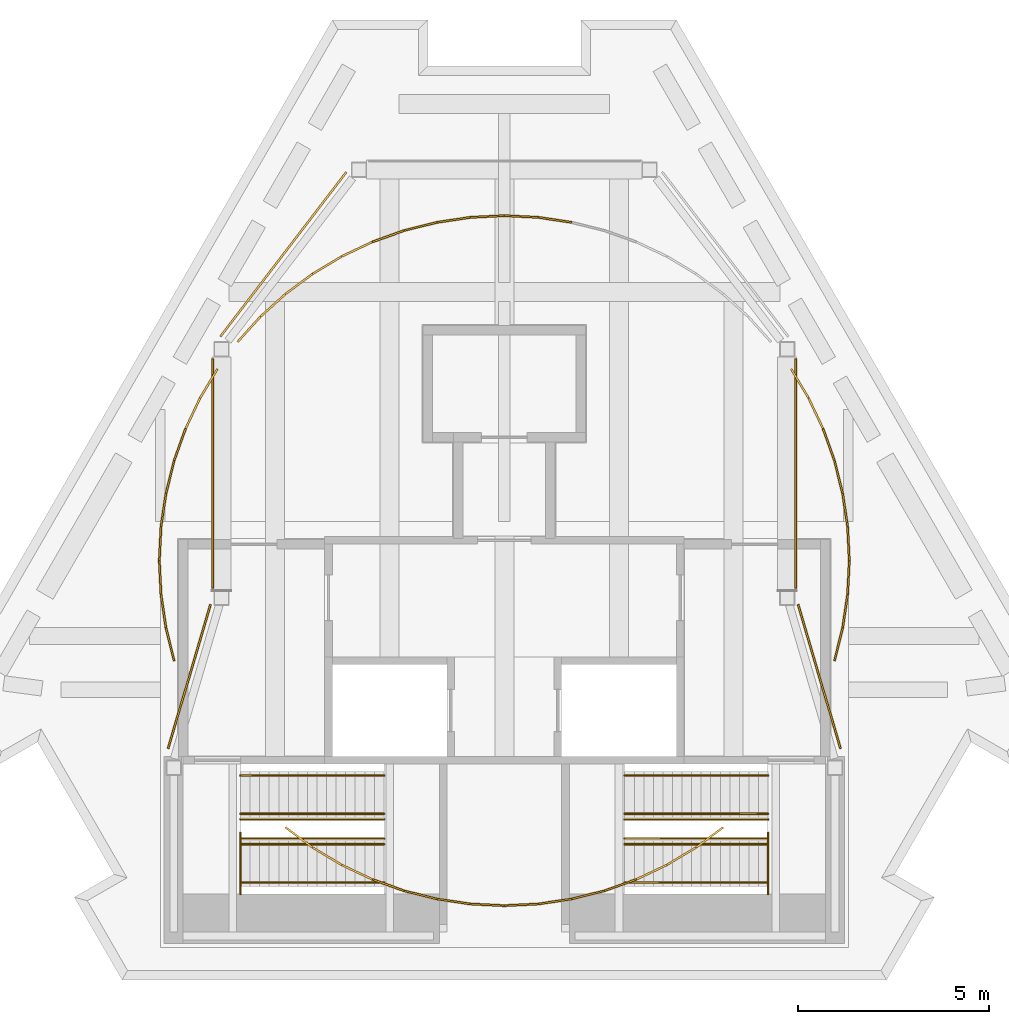
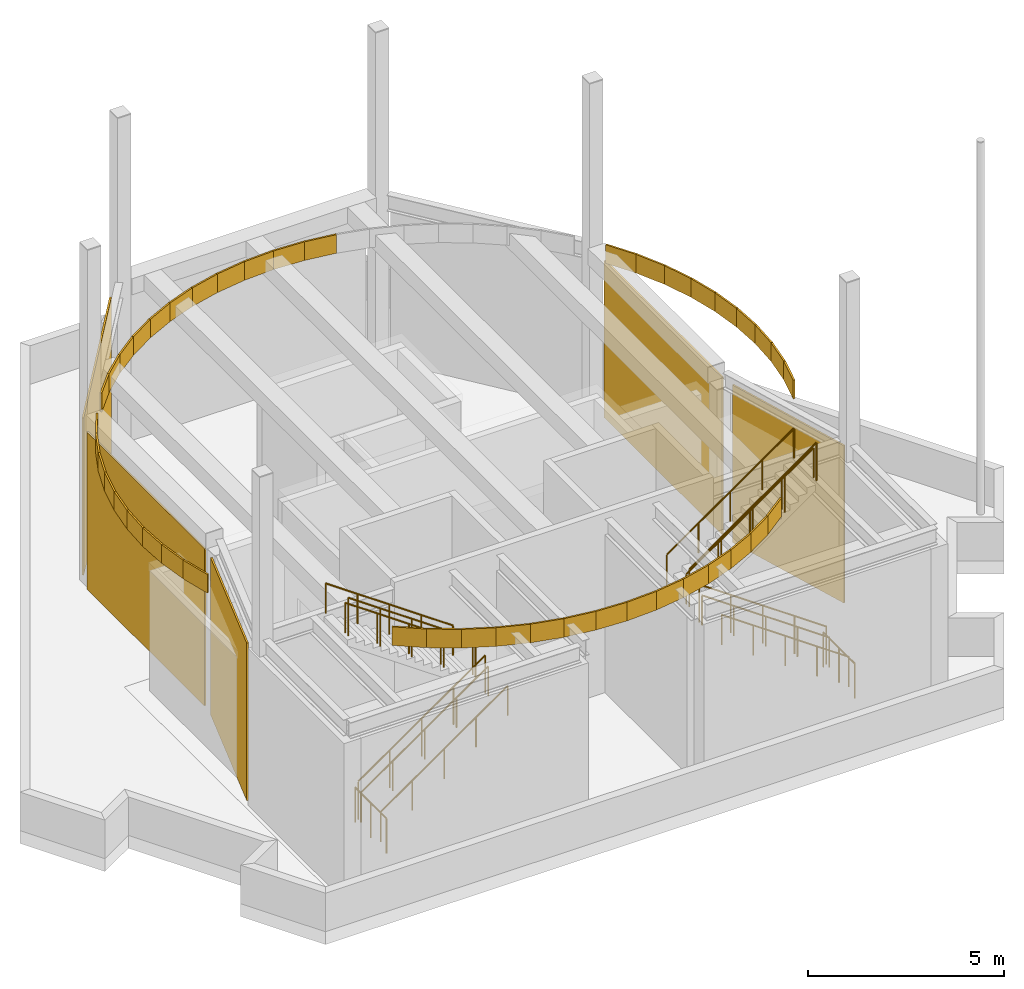
# One storey, part 5 of 6: 48 shading devices, 14 railings.
"""IFC4 building model written with IfcOpenShell, lengths in metres."""

from ifc_helpers import new_model, si_unit, direction, frame, origin, origin_2d, place, context, subcontext, project, spatial, polyline, circle, outline, extrude, material, layer, layer_set, type_object, element, save


model = new_model("IFC4")

# Units and contexts
model_context = context("Model", 3, precision=1e-05, world=origin(), true_north=direction((0.0, 1.0)))
body_context = subcontext(model_context, "Body", "Model", "MODEL_VIEW")
ifc_project = project(units=[si_unit("LENGTHUNIT", "METRE"), si_unit("AREAUNIT", "SQUARE_METRE"), si_unit("VOLUMEUNIT", "CUBIC_METRE"), si_unit("PLANEANGLEUNIT", "RADIAN"), si_unit("MASSUNIT", "GRAM", prefix="KILO")], contexts=[model_context])

# Site, building, storey
site_placement = place(None, origin())
site = spatial("IfcSite", under=ifc_project, at=site_placement, CompositionType="ELEMENT")
building_placement = place(site_placement, origin())
building = spatial("IfcBuilding", under=site, at=building_placement, Name="Fogline Exchange Tower", CompositionType="ELEMENT")
storey_placement = place(building_placement, frame((0.0, 0.0, 363.60009765625)))
storey = spatial("IfcBuildingStorey", under=building, at=storey_placement, Name="RF", CompositionType="ELEMENT", Elevation=363.60009765625)

# Railings
ifc_material_1 = material(Name="Stainless steel 304", Category="steel")
railing_type_1 = type_object("IfcRailingType", Name="G1", PredefinedType="GUARDRAIL", material=ifc_material_1)
railing_1_placement = place(storey_placement, frame((-6.89990234375, 3.699951171875, 0.1748046875)))
element("IfcRailing", 1, at=railing_1_placement, inside=storey, type_object=railing_type_1, Name="Stair guard W", PredefinedType="GUARDRAIL", context=body_context, shape_type="SweptSolid", body=[
    extrude(circle(Radius=0.02392578125, at=origin_2d()), frame((0.0, 0.0, 1.17578125), z_axis=(0.819231920519, 0.0, 0.573462344363), x_axis=(0.0, 1.0, 0.0)), (0.0, 0.0, 1.0), 4.577392578125),
    extrude(circle(Radius=0.02099609375, at=origin_2d()), origin(), (0.0, 0.0, 1.0), 1.15185546875),
    extrude(circle(Radius=0.02099609375, at=origin_2d()), frame((0.9375, 0.0, 0.65625)), (0.0, 0.0, 1.0), 1.15185546875),
    extrude(circle(Radius=0.02099609375, at=origin_2d()), frame((1.875, 0.0, 1.3125)), (0.0, 0.0, 1.0), 1.15185546875),
    extrude(circle(Radius=0.02099609375, at=origin_2d()), frame((2.8125, 0.0, 1.96875)), (0.0, 0.0, 1.0), 1.15185546875),
    extrude(circle(Radius=0.02099609375, at=origin_2d()), frame((3.75, 0.0, 2.625)), (0.0, 0.0, 1.0), 1.15185546875),
])
for number, where, name in (
    (2, (-3.14990234375, 4.199951171875, 2.974853515625), "Stair guard W"),
    (3, (6.89990234375, 3.699951171875, 0.1748046875), "Stair guard E"),
):
    element("IfcRailing", number, at=place(storey_placement, frame(where)), inside=storey, type_object=railing_type_1, Name=name, PredefinedType="GUARDRAIL", context=body_context, shape_type="SweptSolid", body=[
        extrude(circle(Radius=0.02392578125, at=origin_2d()), frame((0.0, 0.0, 1.17578125), z_axis=(-0.819231920519, 0.0, 0.573462344363), x_axis=(0.0, -1.0, 0.0)), (0.0, 0.0, 1.0), 4.577392578125),
        extrude(circle(Radius=0.02099609375, at=origin_2d()), origin(), (0.0, 0.0, 1.0), 1.15185546875),
        extrude(circle(Radius=0.02099609375, at=origin_2d()), frame((-0.9375, 0.0, 0.65625)), (0.0, 0.0, 1.0), 1.15185546875),
        extrude(circle(Radius=0.02099609375, at=origin_2d()), frame((-1.875, 0.0, 1.3125)), (0.0, 0.0, 1.0), 1.15185546875),
        extrude(circle(Radius=0.02099609375, at=origin_2d()), frame((-2.8125, 0.0, 1.96875)), (0.0, 0.0, 1.0), 1.15185546875),
        extrude(circle(Radius=0.02099609375, at=origin_2d()), frame((-3.75, 0.0, 2.625)), (0.0, 0.0, 1.0), 1.15185546875),
    ])
railing_2_placement = place(storey_placement, frame((3.14990234375, 4.199951171875, 2.974853515625)))
element("IfcRailing", 4, at=railing_2_placement, inside=storey, type_object=railing_type_1, Name="Stair guard E", PredefinedType="GUARDRAIL", context=body_context, shape_type="SweptSolid", body=[
    extrude(circle(Radius=0.02392578125, at=origin_2d()), frame((0.0, 0.0, 1.17578125), z_axis=(0.819231920519, 0.0, 0.573462344363), x_axis=(0.0, 1.0, 0.0)), (0.0, 0.0, 1.0), 4.577392578125),
    extrude(circle(Radius=0.02099609375, at=origin_2d()), origin(), (0.0, 0.0, 1.0), 1.15185546875),
    extrude(circle(Radius=0.02099609375, at=origin_2d()), frame((0.9375, 0.0, 0.65625)), (0.0, 0.0, 1.0), 1.15185546875),
    extrude(circle(Radius=0.02099609375, at=origin_2d()), frame((1.875, 0.0, 1.3125)), (0.0, 0.0, 1.0), 1.15185546875),
    extrude(circle(Radius=0.02099609375, at=origin_2d()), frame((2.8125, 0.0, 1.96875)), (0.0, 0.0, 1.0), 1.15185546875),
    extrude(circle(Radius=0.02099609375, at=origin_2d()), frame((3.75, 0.0, 2.625)), (0.0, 0.0, 1.0), 1.15185546875),
])
railing_type_2 = type_object("IfcRailingType", Name="G3", PredefinedType="HANDRAIL", material=ifc_material_1)
for number, where, name in (
    (5, (-6.89990234375, 3.550048828125, 0.1748046875), "Stair handrail W"),
    (6, (-6.89990234375, 2.550048828125, 0.1748046875), "Stair handrail W"),
):
    element("IfcRailing", number, at=place(storey_placement, frame(where)), inside=storey, type_object=railing_type_2, Name=name, PredefinedType="HANDRAIL", context=body_context, shape_type="SweptSolid", body=[
        extrude(circle(Radius=0.02392578125, at=origin_2d()), frame((0.0, 0.0, 0.92578125), z_axis=(0.819231920519, 0.0, 0.573462344363), x_axis=(0.0, 1.0, 0.0)), (0.0, 0.0, 1.0), 4.577392578125),
        extrude(circle(Radius=0.02099609375, at=origin_2d()), origin(), (0.0, 0.0, 1.0), 0.90185546875),
        extrude(circle(Radius=0.02099609375, at=origin_2d()), frame((0.9375, 0.0, 0.65625)), (0.0, 0.0, 1.0), 0.90185546875),
        extrude(circle(Radius=0.02099609375, at=origin_2d()), frame((1.875, 0.0, 1.3125)), (0.0, 0.0, 1.0), 0.90185546875),
        extrude(circle(Radius=0.02099609375, at=origin_2d()), frame((2.8125, 0.0, 1.96875)), (0.0, 0.0, 1.0), 0.90185546875),
        extrude(circle(Radius=0.02099609375, at=origin_2d()), frame((3.75, 0.0, 2.625)), (0.0, 0.0, 1.0), 0.90185546875),
    ])
for number, where, name in (
    (7, (-3.14990234375, 4.35009765625, 2.974853515625), "Stair handrail W"),
    (8, (-3.14990234375, 5.35009765625, 2.974853515625), "Stair handrail W"),
    (9, (6.89990234375, 3.550048828125, 0.1748046875), "Stair handrail E"),
    (10, (6.89990234375, 2.550048828125, 0.1748046875), "Stair handrail E"),
):
    element("IfcRailing", number, at=place(storey_placement, frame(where)), inside=storey, type_object=railing_type_2, Name=name, PredefinedType="HANDRAIL", context=body_context, shape_type="SweptSolid", body=[
        extrude(circle(Radius=0.02392578125, at=origin_2d()), frame((0.0, 0.0, 0.92578125), z_axis=(-0.819231920519, 0.0, 0.573462344363), x_axis=(0.0, -1.0, 0.0)), (0.0, 0.0, 1.0), 4.577392578125),
        extrude(circle(Radius=0.02099609375, at=origin_2d()), origin(), (0.0, 0.0, 1.0), 0.90185546875),
        extrude(circle(Radius=0.02099609375, at=origin_2d()), frame((-0.9375, 0.0, 0.65625)), (0.0, 0.0, 1.0), 0.90185546875),
        extrude(circle(Radius=0.02099609375, at=origin_2d()), frame((-1.875, 0.0, 1.3125)), (0.0, 0.0, 1.0), 0.90185546875),
        extrude(circle(Radius=0.02099609375, at=origin_2d()), frame((-2.8125, 0.0, 1.96875)), (0.0, 0.0, 1.0), 0.90185546875),
        extrude(circle(Radius=0.02099609375, at=origin_2d()), frame((-3.75, 0.0, 2.625)), (0.0, 0.0, 1.0), 0.90185546875),
    ])
for number, where, name in (
    (11, (3.14990234375, 4.35009765625, 2.974853515625), "Stair handrail E"),
    (12, (3.14990234375, 5.35009765625, 2.974853515625), "Stair handrail E"),
):
    element("IfcRailing", number, at=place(storey_placement, frame(where)), inside=storey, type_object=railing_type_2, Name=name, PredefinedType="HANDRAIL", context=body_context, shape_type="SweptSolid", body=[
        extrude(circle(Radius=0.02392578125, at=origin_2d()), frame((0.0, 0.0, 0.92578125), z_axis=(0.819231920519, 0.0, 0.573462344363), x_axis=(0.0, 1.0, 0.0)), (0.0, 0.0, 1.0), 4.577392578125),
        extrude(circle(Radius=0.02099609375, at=origin_2d()), origin(), (0.0, 0.0, 1.0), 0.90185546875),
        extrude(circle(Radius=0.02099609375, at=origin_2d()), frame((0.9375, 0.0, 0.65625)), (0.0, 0.0, 1.0), 0.90185546875),
        extrude(circle(Radius=0.02099609375, at=origin_2d()), frame((1.875, 0.0, 1.3125)), (0.0, 0.0, 1.0), 0.90185546875),
        extrude(circle(Radius=0.02099609375, at=origin_2d()), frame((2.8125, 0.0, 1.96875)), (0.0, 0.0, 1.0), 0.90185546875),
        extrude(circle(Radius=0.02099609375, at=origin_2d()), frame((3.75, 0.0, 2.625)), (0.0, 0.0, 1.0), 0.90185546875),
    ])

# Shading devices
ifc_material_2 = material(Name="Aluminium louvre", Category="aluminium")
ifc_layer_1 = layer(ifc_material_2, 0.050048828125)
ifc_layer_set_1 = layer_set([ifc_layer_1], Name="LV1")
shading_device_type_1 = type_object("IfcShadingDeviceType", Name="LV1", PredefinedType="SHUTTER", material=ifc_layer_set_1)
shading_device_1_placement = place(storey_placement, frame((0.0, 0.0, 5.02001953125)))
element("IfcShadingDevice", 13, at=shading_device_1_placement, inside=storey, type_object=shading_device_type_1, Name="Helipad louvre skirt", PredefinedType="SHUTTER", context=body_context, shape_type="SweptSolid", body=[
    extrude(outline(polyline([(9.0, 10.969970703125), (9.050048828125, 10.969970703125), (9.00634765625, 11.857177734375), (8.956787109375, 11.852294921875), (9.0, 10.969970703125)])), origin(), (0.0, 0.0, 1.0), 0.579833984375),
])
shading_device_2_placement = place(storey_placement, frame((0.0, 0.0, 5.02001953125)))
element("IfcShadingDevice", 14, at=shading_device_2_placement, inside=storey, type_object=shading_device_type_1, Name="Helipad louvre skirt", PredefinedType="SHUTTER", context=body_context, shape_type="SweptSolid", body=[
    extrude(outline(polyline([(8.956787109375, 11.852294921875), (9.00634765625, 11.857177734375), (8.876220703125, 12.735595703125), (8.8271484375, 12.725830078125), (8.956787109375, 11.852294921875)])), origin(), (0.0, 0.0, 1.0), 0.579833984375),
])
shading_device_3_placement = place(storey_placement, frame((0.0, 0.0, 5.02001953125)))
element("IfcShadingDevice", 15, at=shading_device_3_placement, inside=storey, type_object=shading_device_type_1, Name="Helipad louvre skirt", PredefinedType="SHUTTER", context=body_context, shape_type="SweptSolid", body=[
    extrude(outline(polyline([(8.8271484375, 12.725830078125), (8.876220703125, 12.735595703125), (8.660400390625, 13.59716796875), (8.612548828125, 13.58251953125), (8.8271484375, 12.725830078125)])), origin(), (0.0, 0.0, 1.0), 0.579833984375),
])
shading_device_4_placement = place(storey_placement, frame((0.0, 0.0, 5.02001953125)))
element("IfcShadingDevice", 16, at=shading_device_4_placement, inside=storey, type_object=shading_device_type_1, Name="Helipad louvre skirt", PredefinedType="SHUTTER", context=body_context, shape_type="SweptSolid", body=[
    extrude(outline(polyline([(8.612548828125, 13.58251953125), (8.660400390625, 13.59716796875), (8.361083984375, 14.433349609375), (8.31494140625, 14.414306640625), (8.612548828125, 13.58251953125)])), origin(), (0.0, 0.0, 1.0), 0.579833984375),
])
shading_device_5_placement = place(storey_placement, frame((0.0, 0.0, 5.02001953125)))
element("IfcShadingDevice", 17, at=shading_device_5_placement, inside=storey, type_object=shading_device_type_1, Name="Helipad louvre skirt", PredefinedType="SHUTTER", context=body_context, shape_type="SweptSolid", body=[
    extrude(outline(polyline([(8.31494140625, 14.414306640625), (8.361083984375, 14.433349609375), (7.9814453125, 15.236083984375), (7.937255859375, 15.212646484375), (8.31494140625, 14.414306640625)])), origin(), (0.0, 0.0, 1.0), 0.579833984375),
])
shading_device_6_placement = place(storey_placement, frame((0.0, 0.0, 5.02001953125)))
element("IfcShadingDevice", 18, at=shading_device_6_placement, inside=storey, type_object=shading_device_type_1, Name="Helipad louvre skirt", PredefinedType="SHUTTER", context=body_context, shape_type="SweptSolid", body=[
    extrude(outline(polyline([(7.937255859375, 15.212646484375), (7.9814453125, 15.236083984375), (7.52490234375, 15.997802734375), (7.483154296875, 15.97021484375), (7.937255859375, 15.212646484375)])), origin(), (0.0, 0.0, 1.0), 0.579833984375),
])
shading_device_7_placement = place(storey_placement, frame((0.0, 0.0, 5.02001953125)))
element("IfcShadingDevice", 19, at=shading_device_7_placement, inside=storey, type_object=shading_device_type_1, Name="Helipad louvre skirt", PredefinedType="SHUTTER", context=body_context, shape_type="SweptSolid", body=[
    extrude(outline(polyline([(1.755859375, 19.797119140625), (1.765625, 19.84619140625), (0.88720703125, 19.976318359375), (0.882080078125, 19.9267578125), (1.755859375, 19.797119140625)])), origin(), (0.0, 0.0, 1.0), 0.579833984375),
])
shading_device_8_placement = place(storey_placement, frame((0.0, 0.0, 5.02001953125)))
element("IfcShadingDevice", 20, at=shading_device_8_placement, inside=storey, type_object=shading_device_type_1, Name="Helipad louvre skirt", PredefinedType="SHUTTER", context=body_context, shape_type="SweptSolid", body=[
    extrude(outline(polyline([(0.882080078125, 19.9267578125), (0.88720703125, 19.976318359375), (0.0, 20.02001953125), (0.0, 19.969970703125), (0.882080078125, 19.9267578125)])), origin(), (0.0, 0.0, 1.0), 0.579833984375),
])
shading_device_9_placement = place(storey_placement, frame((0.0, 0.0, 5.02001953125)))
element("IfcShadingDevice", 21, at=shading_device_9_placement, inside=storey, type_object=shading_device_type_1, Name="Helipad louvre skirt", PredefinedType="SHUTTER", context=body_context, shape_type="SweptSolid", body=[
    extrude(outline(polyline([(0.0, 19.969970703125), (0.0, 20.02001953125), (-0.88720703125, 19.976318359375), (-0.882080078125, 19.9267578125), (0.0, 19.969970703125)])), origin(), (0.0, 0.0, 1.0), 0.579833984375),
])
shading_device_10_placement = place(storey_placement, frame((0.0, 0.0, 5.02001953125)))
element("IfcShadingDevice", 22, at=shading_device_10_placement, inside=storey, type_object=shading_device_type_1, Name="Helipad louvre skirt", PredefinedType="SHUTTER", context=body_context, shape_type="SweptSolid", body=[
    extrude(outline(polyline([(-0.882080078125, 19.9267578125), (-0.88720703125, 19.976318359375), (-1.765625, 19.84619140625), (-1.755859375, 19.797119140625), (-0.882080078125, 19.9267578125)])), origin(), (0.0, 0.0, 1.0), 0.579833984375),
])
shading_device_11_placement = place(storey_placement, frame((0.0, 0.0, 5.02001953125)))
element("IfcShadingDevice", 23, at=shading_device_11_placement, inside=storey, type_object=shading_device_type_1, Name="Helipad louvre skirt", PredefinedType="SHUTTER", context=body_context, shape_type="SweptSolid", body=[
    extrude(outline(polyline([(-1.755859375, 19.797119140625), (-1.765625, 19.84619140625), (-2.627197265625, 19.63037109375), (-2.612548828125, 19.58251953125), (-1.755859375, 19.797119140625)])), origin(), (0.0, 0.0, 1.0), 0.579833984375),
])
shading_device_12_placement = place(storey_placement, frame((0.0, 0.0, 5.02001953125)))
element("IfcShadingDevice", 24, at=shading_device_12_placement, inside=storey, type_object=shading_device_type_1, Name="Helipad louvre skirt", PredefinedType="SHUTTER", context=body_context, shape_type="SweptSolid", body=[
    extrude(outline(polyline([(-2.612548828125, 19.58251953125), (-2.627197265625, 19.63037109375), (-3.46337890625, 19.3310546875), (-3.444091796875, 19.284912109375), (-2.612548828125, 19.58251953125)])), origin(), (0.0, 0.0, 1.0), 0.579833984375),
])
shading_device_13_placement = place(storey_placement, frame((0.0, 0.0, 5.02001953125)))
element("IfcShadingDevice", 25, at=shading_device_13_placement, inside=storey, type_object=shading_device_type_1, Name="Helipad louvre skirt", PredefinedType="SHUTTER", context=body_context, shape_type="SweptSolid", body=[
    extrude(outline(polyline([(-3.444091796875, 19.284912109375), (-3.46337890625, 19.3310546875), (-4.26611328125, 18.951416015625), (-4.24267578125, 18.9072265625), (-3.444091796875, 19.284912109375)])), origin(), (0.0, 0.0, 1.0), 0.579833984375),
])
shading_device_14_placement = place(storey_placement, frame((0.0, 0.0, 5.02001953125)))
element("IfcShadingDevice", 26, at=shading_device_14_placement, inside=storey, type_object=shading_device_type_1, Name="Helipad louvre skirt", PredefinedType="SHUTTER", context=body_context, shape_type="SweptSolid", body=[
    extrude(outline(polyline([(-4.24267578125, 18.9072265625), (-4.26611328125, 18.951416015625), (-5.02783203125, 18.494873046875), (-5.0, 18.453125), (-4.24267578125, 18.9072265625)])), origin(), (0.0, 0.0, 1.0), 0.579833984375),
])
shading_device_15_placement = place(storey_placement, frame((0.0, 0.0, 5.02001953125)))
element("IfcShadingDevice", 27, at=shading_device_15_placement, inside=storey, type_object=shading_device_type_1, Name="Helipad louvre skirt", PredefinedType="SHUTTER", context=body_context, shape_type="SweptSolid", body=[
    extrude(outline(polyline([(-5.0, 18.453125), (-5.02783203125, 18.494873046875), (-5.7412109375, 17.9658203125), (-5.70947265625, 17.927001953125), (-5.0, 18.453125)])), origin(), (0.0, 0.0, 1.0), 0.579833984375),
])
shading_device_16_placement = place(storey_placement, frame((0.0, 0.0, 5.02001953125)))
element("IfcShadingDevice", 28, at=shading_device_16_placement, inside=storey, type_object=shading_device_type_1, Name="Helipad louvre skirt", PredefinedType="SHUTTER", context=body_context, shape_type="SweptSolid", body=[
    extrude(outline(polyline([(-5.70947265625, 17.927001953125), (-5.7412109375, 17.9658203125), (-6.3994140625, 17.369384765625), (-6.364013671875, 17.333984375), (-5.70947265625, 17.927001953125)])), origin(), (0.0, 0.0, 1.0), 0.579833984375),
])
shading_device_17_placement = place(storey_placement, frame((0.0, 0.0, 5.02001953125)))
element("IfcShadingDevice", 29, at=shading_device_17_placement, inside=storey, type_object=shading_device_type_1, Name="Helipad louvre skirt", PredefinedType="SHUTTER", context=body_context, shape_type="SweptSolid", body=[
    extrude(outline(polyline([(-6.364013671875, 17.333984375), (-6.3994140625, 17.369384765625), (-6.99560546875, 16.711181640625), (-6.95703125, 16.679443359375), (-6.364013671875, 17.333984375)])), origin(), (0.0, 0.0, 1.0), 0.579833984375),
])
shading_device_18_placement = place(storey_placement, frame((0.0, 0.0, 5.02001953125)))
element("IfcShadingDevice", 30, at=shading_device_18_placement, inside=storey, type_object=shading_device_type_1, Name="Helipad louvre skirt", PredefinedType="SHUTTER", context=body_context, shape_type="SweptSolid", body=[
    extrude(outline(polyline([(-7.483154296875, 15.97021484375), (-7.52490234375, 15.997802734375), (-7.9814453125, 15.236083984375), (-7.937255859375, 15.212646484375), (-7.483154296875, 15.97021484375)])), origin(), (0.0, 0.0, 1.0), 0.579833984375),
])
shading_device_19_placement = place(storey_placement, frame((0.0, 0.0, 5.02001953125)))
element("IfcShadingDevice", 31, at=shading_device_19_placement, inside=storey, type_object=shading_device_type_1, Name="Helipad louvre skirt", PredefinedType="SHUTTER", context=body_context, shape_type="SweptSolid", body=[
    extrude(outline(polyline([(-7.937255859375, 15.212646484375), (-7.9814453125, 15.236083984375), (-8.361083984375, 14.433349609375), (-8.31494140625, 14.414306640625), (-7.937255859375, 15.212646484375)])), origin(), (0.0, 0.0, 1.0), 0.579833984375),
])
shading_device_20_placement = place(storey_placement, frame((0.0, 0.0, 5.02001953125)))
element("IfcShadingDevice", 32, at=shading_device_20_placement, inside=storey, type_object=shading_device_type_1, Name="Helipad louvre skirt", PredefinedType="SHUTTER", context=body_context, shape_type="SweptSolid", body=[
    extrude(outline(polyline([(-8.31494140625, 14.414306640625), (-8.361083984375, 14.433349609375), (-8.660400390625, 13.59716796875), (-8.612548828125, 13.58251953125), (-8.31494140625, 14.414306640625)])), origin(), (0.0, 0.0, 1.0), 0.579833984375),
])
shading_device_21_placement = place(storey_placement, frame((0.0, 0.0, 5.02001953125)))
element("IfcShadingDevice", 33, at=shading_device_21_placement, inside=storey, type_object=shading_device_type_1, Name="Helipad louvre skirt", PredefinedType="SHUTTER", context=body_context, shape_type="SweptSolid", body=[
    extrude(outline(polyline([(-8.612548828125, 13.58251953125), (-8.660400390625, 13.59716796875), (-8.876220703125, 12.735595703125), (-8.8271484375, 12.725830078125), (-8.612548828125, 13.58251953125)])), origin(), (0.0, 0.0, 1.0), 0.579833984375),
])
shading_device_22_placement = place(storey_placement, frame((0.0, 0.0, 5.02001953125)))
element("IfcShadingDevice", 34, at=shading_device_22_placement, inside=storey, type_object=shading_device_type_1, Name="Helipad louvre skirt", PredefinedType="SHUTTER", context=body_context, shape_type="SweptSolid", body=[
    extrude(outline(polyline([(-8.8271484375, 12.725830078125), (-8.876220703125, 12.735595703125), (-9.00634765625, 11.857177734375), (-8.956787109375, 11.852294921875), (-8.8271484375, 12.725830078125)])), origin(), (0.0, 0.0, 1.0), 0.579833984375),
])
shading_device_23_placement = place(storey_placement, frame((0.0, 0.0, 5.02001953125)))
element("IfcShadingDevice", 35, at=shading_device_23_placement, inside=storey, type_object=shading_device_type_1, Name="Helipad louvre skirt", PredefinedType="SHUTTER", context=body_context, shape_type="SweptSolid", body=[
    extrude(outline(polyline([(-8.956787109375, 11.852294921875), (-9.00634765625, 11.857177734375), (-9.050048828125, 10.969970703125), (-9.0, 10.969970703125), (-8.956787109375, 11.852294921875)])), origin(), (0.0, 0.0, 1.0), 0.579833984375),
])
shading_device_24_placement = place(storey_placement, frame((0.0, 0.0, 5.02001953125)))
element("IfcShadingDevice", 36, at=shading_device_24_placement, inside=storey, type_object=shading_device_type_1, Name="Helipad louvre skirt", PredefinedType="SHUTTER", context=body_context, shape_type="SweptSolid", body=[
    extrude(outline(polyline([(-9.0, 10.969970703125), (-9.050048828125, 10.969970703125), (-9.00634765625, 10.0830078125), (-8.956787109375, 10.087890625), (-9.0, 10.969970703125)])), origin(), (0.0, 0.0, 1.0), 0.579833984375),
])
shading_device_25_placement = place(storey_placement, frame((0.0, 0.0, 5.02001953125)))
element("IfcShadingDevice", 37, at=shading_device_25_placement, inside=storey, type_object=shading_device_type_1, Name="Helipad louvre skirt", PredefinedType="SHUTTER", context=body_context, shape_type="SweptSolid", body=[
    extrude(outline(polyline([(-8.956787109375, 10.087890625), (-9.00634765625, 10.0830078125), (-8.876220703125, 9.204345703125), (-8.8271484375, 9.214111328125), (-8.956787109375, 10.087890625)])), origin(), (0.0, 0.0, 1.0), 0.579833984375),
])
shading_device_26_placement = place(storey_placement, frame((0.0, 0.0, 5.02001953125)))
element("IfcShadingDevice", 38, at=shading_device_26_placement, inside=storey, type_object=shading_device_type_1, Name="Helipad louvre skirt", PredefinedType="SHUTTER", context=body_context, shape_type="SweptSolid", body=[
    extrude(outline(polyline([(-8.8271484375, 9.214111328125), (-8.876220703125, 9.204345703125), (-8.660400390625, 8.343017578125), (-8.612548828125, 8.357421875), (-8.8271484375, 9.214111328125)])), origin(), (0.0, 0.0, 1.0), 0.579833984375),
])
shading_device_27_placement = place(storey_placement, frame((0.0, 0.0, 5.02001953125)))
element("IfcShadingDevice", 39, at=shading_device_27_placement, inside=storey, type_object=shading_device_type_1, Name="Helipad louvre skirt", PredefinedType="SHUTTER", context=body_context, shape_type="SweptSolid", body=[
    extrude(outline(polyline([(-5.70947265625, 4.012939453125), (-5.7412109375, 3.974365234375), (-5.02783203125, 3.4453125), (-5.0, 3.48681640625), (-5.70947265625, 4.012939453125)])), origin(), (0.0, 0.0, 1.0), 0.579833984375),
])
shading_device_28_placement = place(storey_placement, frame((0.0, 0.0, 5.02001953125)))
element("IfcShadingDevice", 40, at=shading_device_28_placement, inside=storey, type_object=shading_device_type_1, Name="Helipad louvre skirt", PredefinedType="SHUTTER", context=body_context, shape_type="SweptSolid", body=[
    extrude(outline(polyline([(-5.0, 3.48681640625), (-5.02783203125, 3.4453125), (-4.26611328125, 2.988525390625), (-4.24267578125, 3.03271484375), (-5.0, 3.48681640625)])), origin(), (0.0, 0.0, 1.0), 0.579833984375),
])
shading_device_29_placement = place(storey_placement, frame((0.0, 0.0, 5.02001953125)))
element("IfcShadingDevice", 41, at=shading_device_29_placement, inside=storey, type_object=shading_device_type_1, Name="Helipad louvre skirt", PredefinedType="SHUTTER", context=body_context, shape_type="SweptSolid", body=[
    extrude(outline(polyline([(-4.24267578125, 3.03271484375), (-4.26611328125, 2.988525390625), (-3.46337890625, 2.60888671875), (-3.444091796875, 2.655029296875), (-4.24267578125, 3.03271484375)])), origin(), (0.0, 0.0, 1.0), 0.579833984375),
])
shading_device_30_placement = place(storey_placement, frame((0.0, 0.0, 5.02001953125)))
element("IfcShadingDevice", 42, at=shading_device_30_placement, inside=storey, type_object=shading_device_type_1, Name="Helipad louvre skirt", PredefinedType="SHUTTER", context=body_context, shape_type="SweptSolid", body=[
    extrude(outline(polyline([(-3.444091796875, 2.655029296875), (-3.46337890625, 2.60888671875), (-2.627197265625, 2.309814453125), (-2.612548828125, 2.357421875), (-3.444091796875, 2.655029296875)])), origin(), (0.0, 0.0, 1.0), 0.579833984375),
])
shading_device_31_placement = place(storey_placement, frame((0.0, 0.0, 5.02001953125)))
element("IfcShadingDevice", 43, at=shading_device_31_placement, inside=storey, type_object=shading_device_type_1, Name="Helipad louvre skirt", PredefinedType="SHUTTER", context=body_context, shape_type="SweptSolid", body=[
    extrude(outline(polyline([(-2.612548828125, 2.357421875), (-2.627197265625, 2.309814453125), (-1.765625, 2.093994140625), (-1.755859375, 2.142822265625), (-2.612548828125, 2.357421875)])), origin(), (0.0, 0.0, 1.0), 0.579833984375),
])
shading_device_32_placement = place(storey_placement, frame((0.0, 0.0, 5.02001953125)))
element("IfcShadingDevice", 44, at=shading_device_32_placement, inside=storey, type_object=shading_device_type_1, Name="Helipad louvre skirt", PredefinedType="SHUTTER", context=body_context, shape_type="SweptSolid", body=[
    extrude(outline(polyline([(-1.755859375, 2.142822265625), (-1.765625, 2.093994140625), (-0.88720703125, 1.963623046875), (-0.882080078125, 2.01318359375), (-1.755859375, 2.142822265625)])), origin(), (0.0, 0.0, 1.0), 0.579833984375),
])
shading_device_33_placement = place(storey_placement, frame((0.0, 0.0, 5.02001953125)))
element("IfcShadingDevice", 45, at=shading_device_33_placement, inside=storey, type_object=shading_device_type_1, Name="Helipad louvre skirt", PredefinedType="SHUTTER", context=body_context, shape_type="SweptSolid", body=[
    extrude(outline(polyline([(-0.882080078125, 2.01318359375), (-0.88720703125, 1.963623046875), (0.0, 1.919921875), (0.0, 1.969970703125), (-0.882080078125, 2.01318359375)])), origin(), (0.0, 0.0, 1.0), 0.579833984375),
])
shading_device_34_placement = place(storey_placement, frame((0.0, 0.0, 5.02001953125)))
element("IfcShadingDevice", 46, at=shading_device_34_placement, inside=storey, type_object=shading_device_type_1, Name="Helipad louvre skirt", PredefinedType="SHUTTER", context=body_context, shape_type="SweptSolid", body=[
    extrude(outline(polyline([(0.0, 1.969970703125), (0.0, 1.919921875), (0.88720703125, 1.963623046875), (0.882080078125, 2.01318359375), (0.0, 1.969970703125)])), origin(), (0.0, 0.0, 1.0), 0.579833984375),
])
shading_device_35_placement = place(storey_placement, frame((0.0, 0.0, 5.02001953125)))
element("IfcShadingDevice", 47, at=shading_device_35_placement, inside=storey, type_object=shading_device_type_1, Name="Helipad louvre skirt", PredefinedType="SHUTTER", context=body_context, shape_type="SweptSolid", body=[
    extrude(outline(polyline([(0.882080078125, 2.01318359375), (0.88720703125, 1.963623046875), (1.765625, 2.093994140625), (1.755859375, 2.142822265625), (0.882080078125, 2.01318359375)])), origin(), (0.0, 0.0, 1.0), 0.579833984375),
])
shading_device_36_placement = place(storey_placement, frame((0.0, 0.0, 5.02001953125)))
element("IfcShadingDevice", 48, at=shading_device_36_placement, inside=storey, type_object=shading_device_type_1, Name="Helipad louvre skirt", PredefinedType="SHUTTER", context=body_context, shape_type="SweptSolid", body=[
    extrude(outline(polyline([(1.755859375, 2.142822265625), (1.765625, 2.093994140625), (2.627197265625, 2.309814453125), (2.612548828125, 2.357421875), (1.755859375, 2.142822265625)])), origin(), (0.0, 0.0, 1.0), 0.579833984375),
])
shading_device_37_placement = place(storey_placement, frame((0.0, 0.0, 5.02001953125)))
element("IfcShadingDevice", 49, at=shading_device_37_placement, inside=storey, type_object=shading_device_type_1, Name="Helipad louvre skirt", PredefinedType="SHUTTER", context=body_context, shape_type="SweptSolid", body=[
    extrude(outline(polyline([(2.612548828125, 2.357421875), (2.627197265625, 2.309814453125), (3.46337890625, 2.60888671875), (3.444091796875, 2.655029296875), (2.612548828125, 2.357421875)])), origin(), (0.0, 0.0, 1.0), 0.579833984375),
])
shading_device_38_placement = place(storey_placement, frame((0.0, 0.0, 5.02001953125)))
element("IfcShadingDevice", 50, at=shading_device_38_placement, inside=storey, type_object=shading_device_type_1, Name="Helipad louvre skirt", PredefinedType="SHUTTER", context=body_context, shape_type="SweptSolid", body=[
    extrude(outline(polyline([(3.444091796875, 2.655029296875), (3.46337890625, 2.60888671875), (4.26611328125, 2.988525390625), (4.24267578125, 3.03271484375), (3.444091796875, 2.655029296875)])), origin(), (0.0, 0.0, 1.0), 0.579833984375),
])
shading_device_39_placement = place(storey_placement, frame((0.0, 0.0, 5.02001953125)))
element("IfcShadingDevice", 51, at=shading_device_39_placement, inside=storey, type_object=shading_device_type_1, Name="Helipad louvre skirt", PredefinedType="SHUTTER", context=body_context, shape_type="SweptSolid", body=[
    extrude(outline(polyline([(4.24267578125, 3.03271484375), (4.26611328125, 2.988525390625), (5.02783203125, 3.4453125), (5.0, 3.48681640625), (4.24267578125, 3.03271484375)])), origin(), (0.0, 0.0, 1.0), 0.579833984375),
])
shading_device_40_placement = place(storey_placement, frame((0.0, 0.0, 5.02001953125)))
element("IfcShadingDevice", 52, at=shading_device_40_placement, inside=storey, type_object=shading_device_type_1, Name="Helipad louvre skirt", PredefinedType="SHUTTER", context=body_context, shape_type="SweptSolid", body=[
    extrude(outline(polyline([(5.0, 3.48681640625), (5.02783203125, 3.4453125), (5.7412109375, 3.974365234375), (5.70947265625, 4.012939453125), (5.0, 3.48681640625)])), origin(), (0.0, 0.0, 1.0), 0.579833984375),
])
shading_device_41_placement = place(storey_placement, frame((0.0, 0.0, 5.02001953125)))
element("IfcShadingDevice", 53, at=shading_device_41_placement, inside=storey, type_object=shading_device_type_1, Name="Helipad louvre skirt", PredefinedType="SHUTTER", context=body_context, shape_type="SweptSolid", body=[
    extrude(outline(polyline([(8.612548828125, 8.357421875), (8.660400390625, 8.343017578125), (8.876220703125, 9.204345703125), (8.8271484375, 9.214111328125), (8.612548828125, 8.357421875)])), origin(), (0.0, 0.0, 1.0), 0.579833984375),
])
shading_device_42_placement = place(storey_placement, frame((0.0, 0.0, 5.02001953125)))
element("IfcShadingDevice", 54, at=shading_device_42_placement, inside=storey, type_object=shading_device_type_1, Name="Helipad louvre skirt", PredefinedType="SHUTTER", context=body_context, shape_type="SweptSolid", body=[
    extrude(outline(polyline([(8.8271484375, 9.214111328125), (8.876220703125, 9.204345703125), (9.00634765625, 10.0830078125), (8.956787109375, 10.087890625), (8.8271484375, 9.214111328125)])), origin(), (0.0, 0.0, 1.0), 0.579833984375),
])
shading_device_43_placement = place(storey_placement, frame((0.0, 0.0, 5.02001953125)))
element("IfcShadingDevice", 55, at=shading_device_43_placement, inside=storey, type_object=shading_device_type_1, Name="Helipad louvre skirt", PredefinedType="SHUTTER", context=body_context, shape_type="SweptSolid", body=[
    extrude(outline(polyline([(8.956787109375, 10.087890625), (9.00634765625, 10.0830078125), (9.050048828125, 10.969970703125), (9.0, 10.969970703125), (8.956787109375, 10.087890625)])), origin(), (0.0, 0.0, 1.0), 0.579833984375),
])
ifc_layer_2 = layer(ifc_material_2, 0.050048828125)
ifc_layer_set_2 = layer_set([ifc_layer_2], Name="LV2")
shading_device_type_2 = type_object("IfcShadingDeviceType", Name="LV2", PredefinedType="SHUTTER", material=ifc_layer_set_2)
shading_device_44_placement = place(storey_placement, origin())
element("IfcShadingDevice", 56, at=shading_device_44_placement, inside=storey, type_object=shading_device_type_2, Name="Helipad louvre screen", PredefinedType="SHUTTER", context=body_context, shape_type="SweptSolid", body=[
    extrude(outline(polyline([(8.771240234375, 6.04638671875), (8.8193359375, 6.060302734375), (7.71044921875, 9.830810546875), (7.662353515625, 9.816650390625), (8.771240234375, 6.04638671875)])), origin(), (0.0, 0.0, 1.0), 4.89990234375),
])
shading_device_45_placement = place(storey_placement, origin())
element("IfcShadingDevice", 57, at=shading_device_45_placement, inside=storey, type_object=shading_device_type_2, Name="Helipad louvre screen", PredefinedType="SHUTTER", context=body_context, shape_type="SweptSolid", body=[
    extrude(outline(polyline([(7.60009765625, 10.25), (7.64990234375, 10.25), (7.64990234375, 16.25), (7.60009765625, 16.25), (7.60009765625, 10.25)])), origin(), (0.0, 0.0, 1.0), 4.89990234375),
])
shading_device_46_placement = place(storey_placement, origin())
element("IfcShadingDevice", 58, at=shading_device_46_placement, inside=storey, type_object=shading_device_type_2, Name="Helipad louvre screen", PredefinedType="SHUTTER", context=body_context, shape_type="SweptSolid", body=[
    extrude(outline(polyline([(-8.771240234375, 6.04638671875), (-7.662353515625, 9.816650390625), (-7.71044921875, 9.830810546875), (-8.8193359375, 6.060302734375), (-8.771240234375, 6.04638671875)])), origin(), (0.0, 0.0, 1.0), 4.89990234375),
])
shading_device_47_placement = place(storey_placement, origin())
element("IfcShadingDevice", 59, at=shading_device_47_placement, inside=storey, type_object=shading_device_type_2, Name="Helipad louvre screen", PredefinedType="SHUTTER", context=body_context, shape_type="SweptSolid", body=[
    extrude(outline(polyline([(-7.60009765625, 10.25), (-7.60009765625, 16.25), (-7.64990234375, 16.25), (-7.64990234375, 10.25), (-7.60009765625, 10.25)])), origin(), (0.0, 0.0, 1.0), 4.89990234375),
])
shading_device_48_placement = place(storey_placement, origin())
element("IfcShadingDevice", 60, at=shading_device_48_placement, inside=storey, type_object=shading_device_type_2, Name="Helipad louvre screen", PredefinedType="SHUTTER", context=body_context, shape_type="SweptSolid", body=[
    extrude(outline(polyline([(-7.40673828125, 16.820068359375), (-4.11083984375, 21.123046875), (-4.150390625, 21.153564453125), (-7.446533203125, 16.8505859375), (-7.40673828125, 16.820068359375)])), origin(), (0.0, 0.0, 1.0), 4.89990234375),
])

# Railings
ifc_material_3 = material(Name="Steel Q235B", Category="steel")
railing_type_3 = type_object("IfcRailingType", Name="RL-GD", PredefinedType="GUARDRAIL", material=ifc_material_3)
for number, where, name in (
    (61, (-6.89990234375, 2.25, 0.0), "Guard CS1"),
    (62, (6.89990234375, 2.25, 0.0), "Guard CS2"),
):
    element("IfcRailing", number, at=place(storey_placement, frame(where)), inside=storey, type_object=railing_type_3, Name=name, PredefinedType="GUARDRAIL", context=body_context, shape_type="SweptSolid", body=[
        extrude(circle(Radius=0.02392578125, at=origin_2d()), frame((0.0, 0.0, 1.076171875), z_axis=(0.0, 1.0, 0.0), x_axis=(-1.0, 0.0, 0.0)), (0.0, 0.0, 1.0), 1.60009765625),
        extrude(circle(Radius=0.02099609375, at=origin_2d()), origin(), (0.0, 0.0, 1.0), 1.052001953125),
        extrude(circle(Radius=0.02099609375, at=origin_2d()), frame((0.0, 0.800048828125, 0.0)), (0.0, 0.0, 1.0), 1.052001953125),
        extrude(circle(Radius=0.02099609375, at=origin_2d()), frame((0.0, 1.60009765625, 0.0)), (0.0, 0.0, 1.0), 1.052001953125),
    ])

save(model, "model.ifc")
